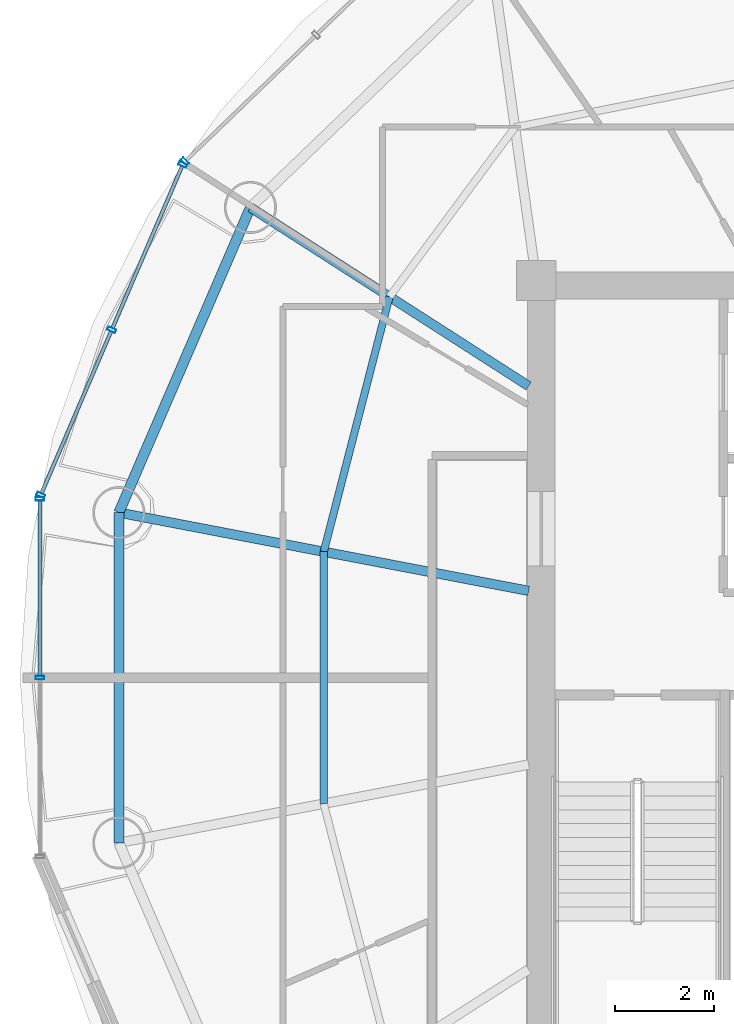
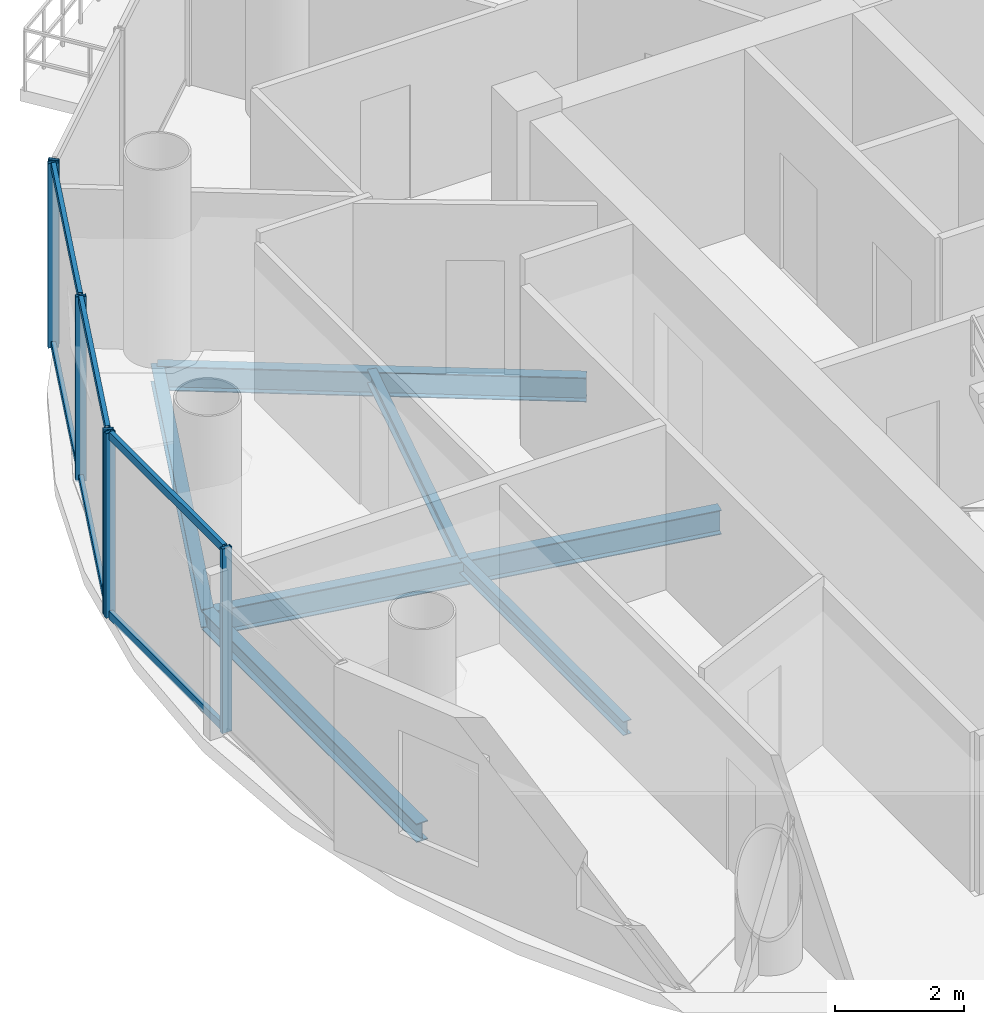
# One storey, part 8 of 24: 12 members, 6 beams, 3 elements without a shape of their own.
"""IFC4 building model written with IfcOpenShell, lengths in metres."""

from ifc_helpers import new_model, si_unit, direction, frame, origin, origin_2d, place, context, subcontext, project, spatial, hollow_rectangle, i_section, extrude, source, transform, mapped, material, material_profile, profile_set, type_object, element, aggregate, save


model = new_model("IFC4")

# Units and contexts
model_context = context("Model", 3, precision=1e-05, world=origin(), true_north=direction((-0.2419218956, 0.970295726276)))
body_context = subcontext(model_context, "Body", "Model", "MODEL_VIEW")
ifc_project = project(units=[si_unit("LENGTHUNIT", "METRE"), si_unit("AREAUNIT", "SQUARE_METRE"), si_unit("VOLUMEUNIT", "CUBIC_METRE"), si_unit("PLANEANGLEUNIT", "RADIAN"), si_unit("MASSUNIT", "GRAM", prefix="KILO")], contexts=[model_context])

# Site, building, storey
site_placement = place(None, origin())
site = spatial("IfcSite", under=ifc_project, at=site_placement, CompositionType="ELEMENT")
building_placement = place(site_placement, origin())
building = spatial("IfcBuilding", under=site, at=building_placement, Name="Cobrevalo Terracotta Tower", CompositionType="ELEMENT")
storey_placement = place(building_placement, frame((0.0, 0.0, 293.199951171875)))
storey = spatial("IfcBuildingStorey", under=building, at=storey_placement, Name="L77", CompositionType="ELEMENT", Elevation=293.199951171875)

# Beams
ifc_material_1 = material(Name="Steel S355", Category="steel")
ifc_material_profile_1 = material_profile(ifc_material_1, i_section(OverallWidth=0.19091796875, OverallDepth=0.4599609375, WebThickness=0.010009765625, FlangeThickness=0.01611328125, at=origin_2d()), Name="W 460x82")
ifc_profile_set_1 = profile_set([ifc_material_profile_1], Name="Steel S355")
beam_type_1 = type_object("IfcBeamType", Name="Structural Beam W 460x82 (Steel S355)", PredefinedType="BEAM", material=ifc_profile_set_1)
beam_1_placement = place(storey_placement, frame((23.241455078125, 36.2724609375, -0.489990234375), z_axis=(0.84157615512, -0.540138477739, 0.0), x_axis=(0.540138477739, 0.84157615512, 0.0)))
element("IfcBeam", 1, at=beam_1_placement, inside=storey, type_object=beam_type_1, Name="L77 radial floor girder 07", PredefinedType="BEAM", context=body_context, shape_type="SweptSolid", body=[
    extrude(i_section(OverallWidth=0.19091796875, OverallDepth=0.4599609375, WebThickness=0.010009765625, FlangeThickness=0.01611328125, at=origin_2d()), origin(), (0.0, 0.0, 1.0), 6.658447265625),
])
beam_2_placement = place(storey_placement, frame((20.591064453125, 30.126220703125, -0.489990234375), z_axis=(0.982234917636, -0.187655446433, 0.0), x_axis=(0.187655446433, 0.982234917636, 0.0)))
element("IfcBeam", 2, at=beam_2_placement, inside=storey, type_object=beam_type_1, Name="L77 radial floor girder 08", PredefinedType="BEAM", context=body_context, shape_type="SweptSolid", body=[
    extrude(i_section(OverallWidth=0.19091796875, OverallDepth=0.4599609375, WebThickness=0.010009765625, FlangeThickness=0.01611328125, at=origin_2d()), origin(), (0.0, 0.0, 1.0), 8.403076171875),
])
ifc_material_profile_2 = material_profile(ifc_material_1, i_section(OverallWidth=0.14794921875, OverallDepth=0.26611328125, WebThickness=0.007568359375, FlangeThickness=0.012939453125, at=origin_2d()), Name="W 250x44.8")
ifc_profile_set_2 = profile_set([ifc_material_profile_2], Name="Steel S355")
beam_type_2 = type_object("IfcBeamType", Name="Structural Joist W 250x44.8 (Steel S355)", PredefinedType="JOIST", material=ifc_profile_set_2)
beam_3_placement = place(storey_placement, frame((26.043212890625, 34.47412109375, -0.39306640625), z_axis=(-0.249816773293, -0.968293126993, 0.0), x_axis=(0.968293126993, -0.249816773293, 0.0)))
element("IfcBeam", 3, at=beam_3_placement, inside=storey, type_object=beam_type_2, Name="L77 circumferential secondary floor joist 07", PredefinedType="JOIST", context=body_context, shape_type="SweptSolid", body=[
    extrude(i_section(OverallWidth=0.14794921875, OverallDepth=0.26611328125, WebThickness=0.007568359375, FlangeThickness=0.012939453125, at=origin_2d()), origin(), (0.0, 0.0, 1.0), 5.3046875),
])
beam_4_placement = place(storey_placement, frame((24.718017578125, 29.337646484375, -0.39306640625), z_axis=(0.0, -1.0, 0.0), x_axis=(1.0, 0.0, 0.0)))
element("IfcBeam", 4, at=beam_4_placement, inside=storey, type_object=beam_type_2, Name="L77 circumferential secondary floor joist 08", PredefinedType="JOIST", context=body_context, shape_type="SweptSolid", body=[
    extrude(i_section(OverallWidth=0.14794921875, OverallDepth=0.26611328125, WebThickness=0.007568359375, FlangeThickness=0.012939453125, at=origin_2d()), origin(), (0.0, 0.0, 1.0), 5.075439453125),
])
ifc_material_profile_3 = material_profile(ifc_material_1, i_section(OverallWidth=0.205078125, OverallDepth=0.35400390625, WebThickness=0.009521484375, FlangeThickness=0.016845703125, at=origin_2d()), Name="W 360x79")
ifc_profile_set_3 = profile_set([ifc_material_profile_3], Name="Steel S355")
beam_type_3 = type_object("IfcBeamType", Name="Structural Spandrel W 360x79 (Steel S355)", PredefinedType="SPANDREL", material=ifc_profile_set_3)
beam_5_placement = place(storey_placement, frame((23.241455078125, 36.2724609375, -0.43701171875), z_axis=(-0.395974127655, -0.918261667624, 0.0), x_axis=(0.918261667624, -0.395974127655, 0.0)))
element("IfcBeam", 5, at=beam_5_placement, inside=storey, type_object=beam_type_3, Name="L77 perimeter ring spandrel 07", PredefinedType="SPANDREL", context=body_context, shape_type="SweptSolid", body=[
    extrude(i_section(OverallWidth=0.205078125, OverallDepth=0.35400390625, WebThickness=0.009521484375, FlangeThickness=0.016845703125, at=origin_2d()), origin(), (0.0, 0.0, 1.0), 6.693359375),
])
beam_6_placement = place(storey_placement, frame((20.591064453125, 30.126220703125, -0.43701171875), z_axis=(0.0, -1.0, 0.0), x_axis=(1.0, 0.0, 0.0)))
element("IfcBeam", 6, at=beam_6_placement, inside=storey, type_object=beam_type_3, Name="L77 perimeter ring spandrel 08", PredefinedType="SPANDREL", context=body_context, shape_type="SweptSolid", body=[
    extrude(i_section(OverallWidth=0.205078125, OverallDepth=0.35400390625, WebThickness=0.009521484375, FlangeThickness=0.016845703125, at=origin_2d()), origin(), (0.0, 0.0, 1.0), 6.652587890625),
])

# Curtain wall, member
ifc_material_2 = material(Name="Anodized aluminium", Category="aluminium")
curtain_wall_type = type_object("IfcCurtainWallType", Name="Upper-tower triple-glazed penthouse curtain wall CW-U3", PredefinedType="NOTDEFINED", material=ifc_material_2)
curtain_wall_1_placement = place(storey_placement, origin())
curtain_wall_1 = element("IfcCurtainWall", 7, at=curtain_wall_1_placement, inside=storey, type_object=curtain_wall_type, Name="L77 curtain wall CW-L77-S06", PredefinedType="NOTDEFINED")
ifc_material_profile_4 = material_profile(ifc_material_2, hollow_rectangle(XDim=0.070068359375, YDim=0.169921875, WallThickness=0.00439453125, at=origin_2d()), Name="CWM 70x170")
ifc_profile_set_4 = profile_set([ifc_material_profile_4], Name="Anodized aluminium")
member_type_1 = type_object("IfcMemberType", Name="Upper tower unitised mullion 70x170", PredefinedType="MULLION", material=ifc_profile_set_4)
shared_shape_1 = source(origin(), body_context, "Body", "SweptSolid", [
    extrude(hollow_rectangle(XDim=0.070068359375, YDim=0.169921875, WallThickness=0.00439453125, at=origin_2d()), origin(), (0.0, 0.0, 1.0), 3.489990234375),
])
member_1_placement = place(storey_placement, frame((21.92333984375, 37.2001953125, 0.0), z_axis=(0.0, 0.0, 1.0), x_axis=(-0.71999418085, -0.69398010025, 0.0)))
member_1 = element("IfcMember", 8, at=member_1_placement, type_object=member_type_1, Name="CW-L77-S06 vertical mullion 03", PredefinedType="MULLION", context=body_context, shape_type="MappedRepresentation", body=[
    mapped(shared_shape_1, transform((0.0, 0.0, 0.0), scale=1.0)),
])
aggregate(curtain_wall_1, [member_1])

# Curtain wall, members
curtain_wall_2_placement = place(storey_placement, origin())
curtain_wall_2 = element("IfcCurtainWall", 9, at=curtain_wall_2_placement, inside=storey, type_object=curtain_wall_type, Name="L77 curtain wall CW-L77-S07", PredefinedType="NOTDEFINED")
member_2_placement = place(storey_placement, frame((21.878662109375, 37.1357421875, 0.0), z_axis=(0.0, 0.0, 1.0), x_axis=(-0.39482403454, -0.91875675875, 0.0)))
member_2 = element("IfcMember", 10, at=member_2_placement, type_object=member_type_1, Name="CW-L77-S07 vertical mullion 01", PredefinedType="MULLION", context=body_context, shape_type="MappedRepresentation", body=[
    mapped(shared_shape_1, transform((0.0, 0.0, 0.0), scale=1.0)),
])
member_3_placement = place(storey_placement, frame((20.4482421875, 33.807373046875, 0.0), z_axis=(0.0, 0.0, 1.0), x_axis=(-0.39482403454, -0.91875675875, 0.0)))
member_3 = element("IfcMember", 11, at=member_3_placement, type_object=member_type_1, Name="CW-L77-S07 vertical mullion 02", PredefinedType="MULLION", context=body_context, shape_type="MappedRepresentation", body=[
    mapped(shared_shape_1, transform((0.0, 0.0, 0.0), scale=1.0)),
])
member_4_placement = place(storey_placement, frame((19.01806640625, 30.47900390625, 0.0), z_axis=(0.0, 0.0, 1.0), x_axis=(-0.39482403454, -0.91875675875, 0.0)))
member_4 = element("IfcMember", 12, at=member_4_placement, type_object=member_type_1, Name="CW-L77-S07 vertical mullion 03", PredefinedType="MULLION", context=body_context, shape_type="MappedRepresentation", body=[
    mapped(shared_shape_1, transform((0.0, 0.0, 0.0), scale=1.0)),
])

curtain_wall_3_placement = place(storey_placement, origin())
curtain_wall_3 = element("IfcCurtainWall", 13, at=curtain_wall_3_placement, inside=storey, type_object=curtain_wall_type, Name="L77 curtain wall CW-L77-S08", PredefinedType="NOTDEFINED")
member_5_placement = place(storey_placement, frame((19.002197265625, 30.40234375, 0.0), z_axis=(0.0, 0.0, 1.0), x_axis=(0.0, -1.0, 0.0)))
member_5 = element("IfcMember", 14, at=member_5_placement, type_object=member_type_1, Name="CW-L77-S08 vertical mullion 01", PredefinedType="MULLION", context=body_context, shape_type="MappedRepresentation", body=[
    mapped(shared_shape_1, transform((0.0, 0.0, 0.0), scale=1.0)),
])
member_6_placement = place(storey_placement, frame((19.002197265625, 26.800048828125, 0.0), z_axis=(0.0, 0.0, 1.0), x_axis=(0.0, -1.0, 0.0)))
member_6 = element("IfcMember", 15, at=member_6_placement, type_object=member_type_1, Name="CW-L77-S08 vertical mullion 02", PredefinedType="MULLION", context=body_context, shape_type="MappedRepresentation", body=[
    mapped(shared_shape_1, transform((0.0, 0.0, 0.0), scale=1.0)),
])

# Member
ifc_material_profile_5 = material_profile(ifc_material_2, hollow_rectangle(XDim=0.074951171875, YDim=0.14990234375, WallThickness=0.00439453125, at=origin_2d()), Name="CWT 75x150")
ifc_profile_set_5 = profile_set([ifc_material_profile_5], Name="Anodized aluminium")
member_type_2 = type_object("IfcMemberType", Name="Tower unitised aluminium transom 75x150", PredefinedType="USERDEFINED", material=ifc_profile_set_5)
shared_shape_2 = source(origin(), body_context, "Body", "SweptSolid", [
    extrude(hollow_rectangle(XDim=0.074951171875, YDim=0.14990234375, WallThickness=0.00439453125, at=origin_2d()), origin(), (0.0, 0.0, 1.0), 3.54248046875),
])
member_7_placement = place(storey_placement, frame((21.86279296875, 37.098876953125, 0.050048828125), z_axis=(-0.394834055841, -0.918752452159, 0.0), x_axis=(0.918752452159, -0.394834055841, 0.0)))
member_7 = element("IfcMember", 16, at=member_7_placement, type_object=member_type_2, Name="CW-L77-S07 transom B01-T1", ObjectType="TRANSOM", PredefinedType="USERDEFINED", context=body_context, shape_type="MappedRepresentation", body=[
    mapped(shared_shape_2, transform((0.0, 0.0, 0.0), scale=1.0)),
])

member_8_placement = place(storey_placement, frame((21.86279296875, 37.098876953125, 3.43994140625), z_axis=(-0.394834055841, -0.918752452159, 0.0), x_axis=(0.918752452159, -0.394834055841, 0.0)))
member_8 = element("IfcMember", 17, at=member_8_placement, type_object=member_type_2, Name="CW-L77-S07 transom B01-T2", ObjectType="TRANSOM", PredefinedType="USERDEFINED", context=body_context, shape_type="MappedRepresentation", body=[
    mapped(shared_shape_2, transform((0.0, 0.0, 0.0), scale=1.0)),
])

shared_shape_3 = source(origin(), body_context, "Body", "SweptSolid", [
    extrude(hollow_rectangle(XDim=0.074951171875, YDim=0.14990234375, WallThickness=0.00439453125, at=origin_2d()), origin(), (0.0, 0.0, 1.0), 3.542724609375),
])
member_9_placement = place(storey_placement, frame((20.4326171875, 33.770751953125, 0.050048828125), z_axis=(-0.394867226589, -0.918738196314, 0.0), x_axis=(0.918738196314, -0.394867226589, 0.0)))
member_9 = element("IfcMember", 18, at=member_9_placement, type_object=member_type_2, Name="CW-L77-S07 transom B02-T1", ObjectType="TRANSOM", PredefinedType="USERDEFINED", context=body_context, shape_type="MappedRepresentation", body=[
    mapped(shared_shape_3, transform((0.0, 0.0, 0.0), scale=1.0)),
])

member_10_placement = place(storey_placement, frame((20.4326171875, 33.770751953125, 3.43994140625), z_axis=(-0.394867226589, -0.918738196314, 0.0), x_axis=(0.918738196314, -0.394867226589, 0.0)))
member_10 = element("IfcMember", 19, at=member_10_placement, type_object=member_type_2, Name="CW-L77-S07 transom B02-T2", ObjectType="TRANSOM", PredefinedType="USERDEFINED", context=body_context, shape_type="MappedRepresentation", body=[
    mapped(shared_shape_3, transform((0.0, 0.0, 0.0), scale=1.0)),
])

aggregate(curtain_wall_2, [member_2, member_3, member_4, member_7, member_8, member_9, member_10])

shared_shape_4 = source(origin(), body_context, "Body", "SweptSolid", [
    extrude(hollow_rectangle(XDim=0.074951171875, YDim=0.14990234375, WallThickness=0.00439453125, at=origin_2d()), origin(), (0.0, 0.0, 1.0), 3.522216796875),
])
member_11_placement = place(storey_placement, frame((19.002197265625, 30.3623046875, 0.050048828125), z_axis=(0.0, -1.0, 0.0), x_axis=(1.0, 0.0, 0.0)))
member_11 = element("IfcMember", 20, at=member_11_placement, type_object=member_type_2, Name="CW-L77-S08 transom B01-T1", ObjectType="TRANSOM", PredefinedType="USERDEFINED", context=body_context, shape_type="MappedRepresentation", body=[
    mapped(shared_shape_4, transform((0.0, 0.0, 0.0), scale=1.0)),
])

member_12_placement = place(storey_placement, frame((19.002197265625, 30.3623046875, 3.43994140625), z_axis=(0.0, -1.0, 0.0), x_axis=(1.0, 0.0, 0.0)))
member_12 = element("IfcMember", 21, at=member_12_placement, type_object=member_type_2, Name="CW-L77-S08 transom B01-T2", ObjectType="TRANSOM", PredefinedType="USERDEFINED", context=body_context, shape_type="MappedRepresentation", body=[
    mapped(shared_shape_4, transform((0.0, 0.0, 0.0), scale=1.0)),
])

aggregate(curtain_wall_3, [member_5, member_6, member_11, member_12])

save(model, "model.ifc")
